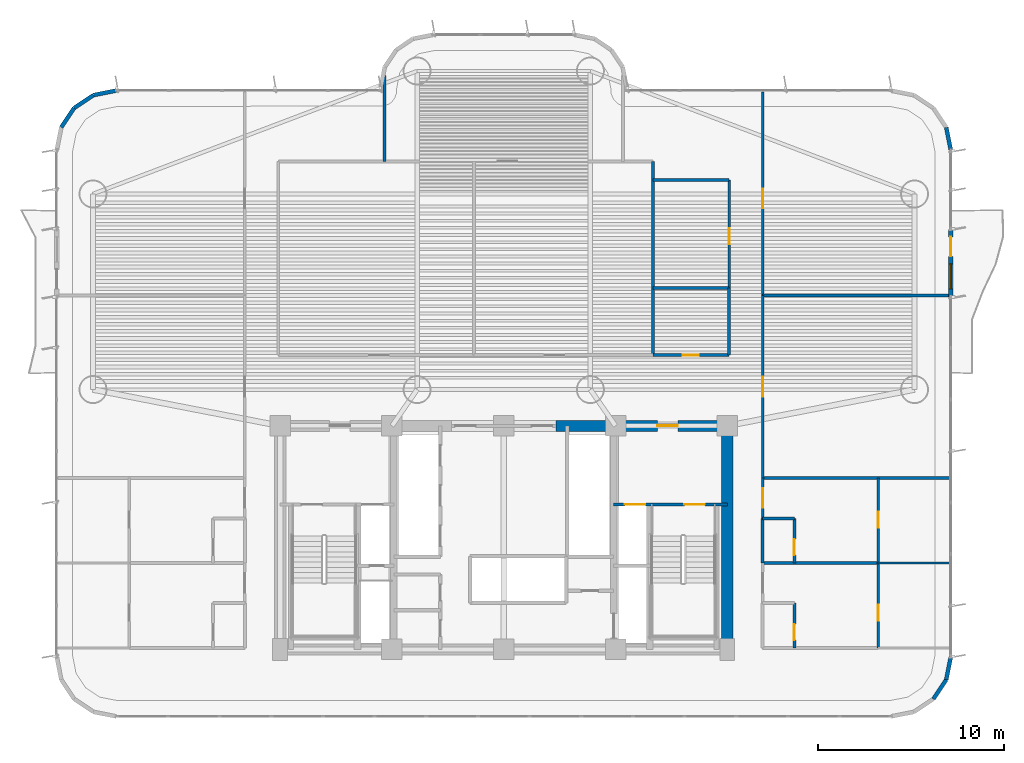
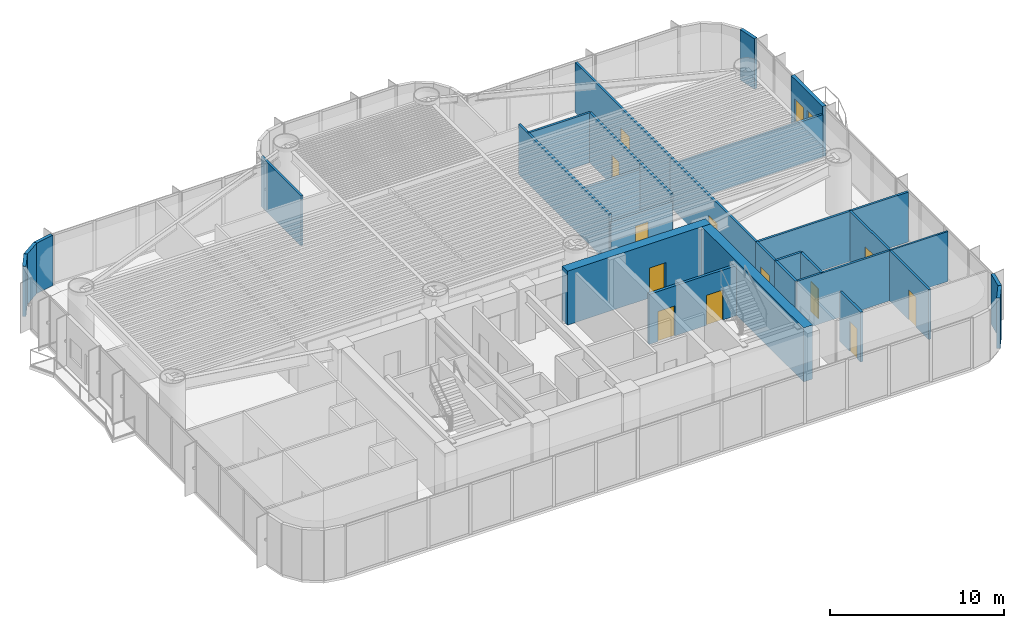
# One storey, part 12 of 17: 30 walls, 13 doors, 1 window, 14 openings.
"""IFC4 building model written with IfcOpenShell, lengths in metres."""

from ifc_helpers import new_model, si_unit, direction, frame, frame_2d, origin, origin_2d, place, context, subcontext, project, spatial, rectangle, extrude, source, transform, mapped, material, layer, layer_set, type_object, element, fill, save


model = new_model("IFC4")

# Units and contexts
model_context = context("Model", 3, precision=1e-05, world=origin(), true_north=direction((0.0, 1.0)))
body_context = subcontext(model_context, "Body", "Model", "MODEL_VIEW")
ifc_project = project(units=[si_unit("LENGTHUNIT", "METRE"), si_unit("AREAUNIT", "SQUARE_METRE"), si_unit("VOLUMEUNIT", "CUBIC_METRE"), si_unit("PLANEANGLEUNIT", "RADIAN"), si_unit("MASSUNIT", "GRAM", prefix="KILO")], contexts=[model_context])

# Site, building, storey
site_placement = place(None, origin())
site = spatial("IfcSite", under=ifc_project, at=site_placement, CompositionType="ELEMENT")
building_placement = place(site_placement, origin())
building = spatial("IfcBuilding", under=site, at=building_placement, Name="Brelvock Crest Care Tower", CompositionType="ELEMENT")
storey_placement = place(building_placement, frame((0.0, 0.0, 45.89990234375)))
storey = spatial("IfcBuildingStorey", under=building, at=storey_placement, Name="L11", CompositionType="ELEMENT", Elevation=45.89990234375)

# Wall
ifc_material_1 = material(Name="Concrete S80 (80 MPa)", Category="concrete")
ifc_layer_1 = layer(ifc_material_1, 0.60009765625, Name="WL-CS1")
ifc_layer_set_1 = layer_set([ifc_layer_1], Name="Concrete S80 (80 MPa)")
wall_type_1 = type_object("IfcWallType", Name="WL-CS1", PredefinedType="SHEAR", material=ifc_layer_set_1)
wall_1_placement = place(storey_placement, frame((48.0, 18.0, 0.0), z_axis=(0.0, 0.0, 1.0), x_axis=(0.0, -1.0, 0.0)))
element("IfcWall", 1, at=wall_1_placement, inside=storey, type_object=wall_type_1, Name="L11 Core East Shear Wall", PredefinedType="SHEAR", context=body_context, shape_type="SweptSolid", body=[
    extrude(rectangle(XDim=12.0, YDim=0.60009765625, at=frame_2d((6.0, 0.0))), origin(), (0.0, 0.0, 1.0), 3.780029296875),
])

# Wall, opening, door
wall_2_placement = place(storey_placement, frame((38.800048828125, 18.0, 0.0), z_axis=(0.0, 0.0, 1.0), x_axis=(1.0, 0.0, 0.0)))
wall_2 = element("IfcWall", 2, at=wall_2_placement, inside=storey, type_object=wall_type_1, Name="L11 Core North-East Shear Wall", PredefinedType="SHEAR", context=body_context, shape_type="SweptSolid", body=[
    extrude(rectangle(XDim=9.5, YDim=0.60009765625, at=frame_2d((4.75, 0.0))), origin(), (0.0, 0.0, 1.0), 3.780029296875),
])
opening_1_placement = place(wall_2_placement, frame((5.449951171875, 0.0, 0.0)))
opening_1 = element("IfcOpeningElement", 3, at=opening_1_placement, cuts=wall_2, Name="Opening FD-1", PredefinedType="OPENING", context=body_context, shape_type="SweptSolid", body=[
    extrude(rectangle(XDim=1.10009765625, YDim=2.10009765625, at=origin_2d()), frame((0.550048828125, 0.31005859375, 1.050048828125), z_axis=(0.0, -1.0, 0.0), x_axis=(1.0, 0.0, 0.0)), (0.0, 0.0, 1.0), 0.6201171875),
])
ifc_material_2 = material(Name="Steel Grade 350", Category="steel")
door_type_1 = type_object("IfcDoorType", Name="DR-FFL1", OperationType="NOTDEFINED", PredefinedType="DOOR", material=ifc_material_2)
shared_shape_1 = source(origin(), body_context, "Body", "SweptSolid", [
    extrude(rectangle(XDim=1.10009765625, YDim=2.10009765625, at=origin_2d()), frame((0.550048828125, 0.02490234375, 1.050048828125), z_axis=(0.0, -1.0, 0.0), x_axis=(1.0, 0.0, 0.0)), (0.0, 0.0, 1.0), 0.050048828125),
])
door_1_placement = place(opening_1_placement, origin())
door_1 = element("IfcDoor", 4, at=door_1_placement, inside=storey, type_object=door_type_1, Name="L11 Firefighting Lobby FFL-2 Exit Door", OperationType="SINGLE_SWING_RIGHT", OverallHeight=2.10009765625, OverallWidth=1.10009765625, PredefinedType="DOOR", context=body_context, shape_type="MappedRepresentation", body=[
    mapped(shared_shape_1, transform((0.0, 0.0, 0.0), x_axis=(1.0, 0.0, 0.0), y_axis=(0.0, 1.0, 0.0), z_axis=(0.0, 0.0, 1.0), scale=1.0)),
])
fill(opening_1, door_1)

# Wall, openings, door, window
ifc_material_3 = material(Name="Precast concrete N40 (40 MPa)", Category="concrete")
ifc_layer_2 = layer(ifc_material_3, 0.239990234375, Name="WL-EX1")
ifc_layer_set_2 = layer_set([ifc_layer_2], Name="Precast concrete N40 (40 MPa)")
wall_type_2 = type_object("IfcWallType", Name="WL-EX1", PredefinedType="SOLIDWALL", material=ifc_layer_set_2)
wall_3_placement = place(storey_placement, frame((60.0, 28.550048828125, 0.0), z_axis=(0.0, 0.0, 1.0), x_axis=(0.0, -1.0, 0.0)))
wall_3 = element("IfcWall", 5, at=wall_3_placement, inside=storey, type_object=wall_type_2, Name="L11 Exterior Spandrel Wall WL-BAL-L11-E", PredefinedType="SOLIDWALL", context=body_context, shape_type="SweptSolid", body=[
    extrude(rectangle(XDim=3.60009765625, YDim=0.239990234375, at=frame_2d((1.800048828125, 0.0))), origin(), (0.0, 0.0, 1.0), 3.530029296875),
])
opening_2_placement = place(wall_3_placement, frame((0.39990234375, 0.0, 0.0)))
opening_2 = element("IfcOpeningElement", 6, at=opening_2_placement, cuts=wall_3, Name="Opening BD-1", PredefinedType="OPENING", context=body_context, shape_type="SweptSolid", body=[
    extrude(rectangle(XDim=1.050048828125, YDim=2.14990234375, at=origin_2d()), frame((0.52490234375, 0.1298828125, 1.074951171875), z_axis=(0.0, -1.0, 0.0), x_axis=(1.0, 0.0, 0.0)), (0.0, 0.0, 1.0), 0.260009765625),
])
opening_3_placement = place(wall_3_placement, frame((1.85009765625, 0.0, 0.85009765625)))
opening_3 = element("IfcOpeningElement", 7, at=opening_3_placement, cuts=wall_3, Name="Opening W-01", PredefinedType="OPENING", context=body_context, shape_type="SweptSolid", body=[
    extrude(rectangle(XDim=1.35009765625, YDim=1.35009765625, at=origin_2d()), frame((0.675048828125, 0.1298828125, 0.675048828125), z_axis=(0.0, -1.0, 0.0), x_axis=(1.0, 0.0, 0.0)), (0.0, 0.0, 1.0), 0.260009765625),
])
ifc_material_4 = material(Name="Dark Glass Double Glazed Low-E", Category="glass")
door_type_2 = type_object("IfcDoorType", Name="DR-BAL1", OperationType="NOTDEFINED", PredefinedType="DOOR", material=ifc_material_4)
shared_shape_2 = source(origin(), body_context, "Body", "SweptSolid", [
    extrude(rectangle(XDim=1.050048828125, YDim=2.14990234375, at=origin_2d()), frame((0.52490234375, 0.02490234375, 1.074951171875), z_axis=(0.0, -1.0, 0.0), x_axis=(1.0, 0.0, 0.0)), (0.0, 0.0, 1.0), 0.050048828125),
])
door_2_placement = place(opening_2_placement, origin())
door_2 = element("IfcDoor", 8, at=door_2_placement, inside=storey, type_object=door_type_2, Name="L11 E Wave Balcony Glazed Door", OperationType="SINGLE_SWING_RIGHT", OverallHeight=2.14990234375, OverallWidth=1.050048828125, PredefinedType="DOOR", context=body_context, shape_type="MappedRepresentation", body=[
    mapped(shared_shape_2, transform((0.0, 0.0, 0.0), x_axis=(1.0, 0.0, 0.0), y_axis=(0.0, 1.0, 0.0), z_axis=(0.0, 0.0, 1.0), scale=1.0)),
])
fill(opening_2, door_2)
window_type = type_object("IfcWindowType", Name="WN-EX1", PartitioningType="SINGLE_PANEL", PredefinedType="WINDOW", material=ifc_material_4)
shared_shape_3 = source(origin(), body_context, "Body", "SweptSolid", [
    extrude(rectangle(XDim=1.35009765625, YDim=1.35009765625, at=origin_2d()), frame((0.675048828125, 0.030029296875, 0.675048828125), z_axis=(0.0, -1.0, 0.0), x_axis=(1.0, 0.0, 0.0)), (0.0, 0.0, 1.0), 0.06005859375),
])
window_placement = place(opening_3_placement, origin())
window = element("IfcWindow", 9, at=window_placement, inside=storey, type_object=window_type, Name="L11 E Suite Casement Window", OverallHeight=1.35009765625, OverallWidth=1.35009765625, PartitioningType="SINGLE_PANEL", PredefinedType="WINDOW", context=body_context, shape_type="MappedRepresentation", body=[
    mapped(shared_shape_3, transform((0.0, 0.0, 0.0), x_axis=(1.0, 0.0, 0.0), y_axis=(0.0, 1.0, 0.0), z_axis=(0.0, 0.0, 1.0), scale=1.0)),
])
fill(opening_3, window)

# Walls
ifc_layer_3 = layer(ifc_material_3, 0.215087890625, Name="WL-EX2")
ifc_layer_set_3 = layer_set([ifc_layer_3], Name="Precast concrete N40 (40 MPa)")
wall_type_3 = type_object("IfcWallType", Name="WL-EX2", PredefinedType="SOLIDWALL", material=ifc_layer_set_3)
for number, where, z_axis, x_axis, name in (
    (10, (59.75634765625, 34.024658203125, 0.0), (0.0, 0.0, 1.0), (0.195138390419, -0.980775717779, 0.0), "L11 Rounded Corner Wall 02"),
    (11, (60.0, 5.60009765625, 0.0), (0.0, 0.0, 1.0), (-0.195138390419, -0.980775717779, 0.0), "L11 Rounded Corner Wall 04"),
    (12, (59.75634765625, 4.37548828125, 0.0), (0.0, 0.0, 1.0), (-0.555557312883, -0.831478245117, 0.0), "L11 Rounded Corner Wall 05"),
    (13, (12.24365234375, 34.024658203125, 0.0), (0.0, 0.0, 1.0), (0.555557312883, 0.831478245117, 0.0), "L11 Rounded Corner Wall 15"),
    (14, (12.937255859375, 35.062744140625, 0.0), (0.0, 0.0, 1.0), (0.831478245117, 0.555557312883, 0.0), "L11 Rounded Corner Wall 16"),
    (15, (13.975341796875, 35.75634765625, 0.0), (0.0, 0.0, 1.0), (0.980775717779, 0.195138390419, 0.0), "L11 Rounded Corner Wall 17"),
):
    element("IfcWall", number, at=place(storey_placement, frame(where, z_axis=z_axis, x_axis=x_axis)), inside=storey, type_object=wall_type_3, Name=name, PredefinedType="SOLIDWALL", context=body_context, shape_type="SweptSolid", body=[
        extrude(rectangle(XDim=1.24853515625, YDim=0.215087890625, at=frame_2d((0.624267578125, 0.0))), origin(), (0.0, 0.0, 1.0), 3.530029296875),
    ])
ifc_material_5 = material(Name="Masonry Blockwork Acoustic Partition", Category="masonry")
ifc_layer_4 = layer(ifc_material_5, 0.14990234375, Name="WL-INT1")
ifc_layer_set_4 = layer_set([ifc_layer_4], Name="Masonry Blockwork Acoustic Partition")
wall_type_4 = type_object("IfcWallType", Name="WL-INT1", PredefinedType="PARTITIONING", material=ifc_layer_set_4)
wall_4_placement = place(storey_placement, frame((49.89990234375, 10.639892578125, 0.0), z_axis=(0.0, 0.0, 1.0), x_axis=(1.0, 0.0, 0.0)))
element("IfcWall", 16, at=wall_4_placement, inside=storey, type_object=wall_type_4, Name="L11 Interior Wall WL-BX-L11-CS-ER1A-N", PredefinedType="PARTITIONING", context=body_context, shape_type="SweptSolid", body=[
    extrude(rectangle(XDim=6.2001953125, YDim=0.14990234375, at=frame_2d((3.10009765625, 0.0))), origin(), (0.0, 0.0, 1.0), 3.5),
])
wall_5_placement = place(storey_placement, frame((49.89990234375, 15.199951171875, 0.0), z_axis=(0.0, 0.0, 1.0), x_axis=(1.0, 0.0, 0.0)))
element("IfcWall", 17, at=wall_5_placement, inside=storey, type_object=wall_type_4, Name="L11 Interior Wall WL-BX-L11-ECL2-S", PredefinedType="PARTITIONING", context=body_context, shape_type="SweptSolid", body=[
    extrude(rectangle(XDim=10.02001953125, YDim=0.14990234375, at=frame_2d((5.010009765625, 0.0))), origin(), (0.0, 0.0, 1.0), 3.5),
])
wall_6_placement = place(storey_placement, frame((49.89990234375, 25.0, 0.0), z_axis=(0.0, 0.0, 1.0), x_axis=(1.0, 0.0, 0.0)))
element("IfcWall", 18, at=wall_6_placement, inside=storey, type_object=wall_type_4, Name="L11 Interior Wall WL-BX-L11-ECL2-N", PredefinedType="PARTITIONING", context=body_context, shape_type="SweptSolid", body=[
    extrude(rectangle(XDim=10.02001953125, YDim=0.14990234375, at=frame_2d((5.010009765625, 0.0))), origin(), (0.0, 0.0, 1.0), 2.982177734375),
])
wall_7_placement = place(storey_placement, frame((44.0, 31.199951171875, 0.0), z_axis=(0.0, 0.0, 1.0), x_axis=(1.0, 0.0, 0.0)))
element("IfcWall", 19, at=wall_7_placement, inside=storey, type_object=wall_type_4, Name="L11 Interior Wall WL-BX-L11-CKIT-N", PredefinedType="PARTITIONING", context=body_context, shape_type="SweptSolid", body=[
    extrude(rectangle(XDim=4.10009765625, YDim=0.14990234375, at=frame_2d((2.050048828125, 0.0))), origin(), (0.0, 0.0, 1.0), 3.5),
])
wall_8_placement = place(storey_placement, frame((29.60009765625, 32.199951171875, 0.0), z_axis=(0.0, 0.0, 1.0), x_axis=(0.0, 1.0, 0.0)))
element("IfcWall", 20, at=wall_8_placement, inside=storey, type_object=wall_type_4, Name="L11 Interior Wall WL-BX-L11-NHUB-W", PredefinedType="PARTITIONING", context=body_context, shape_type="SweptSolid", body=[
    extrude(rectangle(XDim=4.595458984375, YDim=0.14990234375, at=frame_2d((2.2978515625, 0.0))), origin(), (0.0, 0.0, 1.0), 3.5),
])

# Wall, opening, door
wall_9_placement = place(storey_placement, frame((48.10009765625, 25.39990234375, 0.0), z_axis=(0.0, 0.0, 1.0), x_axis=(0.0, 1.0, 0.0)))
wall_9 = element("IfcWall", 21, at=wall_9_placement, inside=storey, type_object=wall_type_4, Name="L11 Interior Wall WL-RM-L11-CKIT", PredefinedType="PARTITIONING", context=body_context, shape_type="SweptSolid", body=[
    extrude(rectangle(XDim=5.800048828125, YDim=0.14990234375, at=frame_2d((2.89990234375, 0.0))), origin(), (0.0, 0.0, 1.0), 3.5),
])
opening_4_placement = place(wall_9_placement, frame((2.340087890625, 0.0, 0.0)))
opening_4 = element("IfcOpeningElement", 22, at=opening_4_placement, cuts=wall_9, Name="Opening ID-1", PredefinedType="OPENING", context=body_context, shape_type="SweptSolid", body=[
    extrude(rectangle(XDim=0.860107421875, YDim=2.10009765625, at=origin_2d()), frame((0.43017578125, 0.0849609375, 1.050048828125), z_axis=(0.0, -1.0, 0.0), x_axis=(1.0, 0.0, 0.0)), (0.0, 0.0, 1.0), 0.169921875),
])
ifc_material_6 = material(Name="Engineered Hardwood Timber", Category="wood")
door_type_3 = type_object("IfcDoorType", Name="DR-INT1", OperationType="NOTDEFINED", PredefinedType="DOOR", material=ifc_material_6)
shared_shape_4 = source(origin(), body_context, "Body", "SweptSolid", [
    extrude(rectangle(XDim=0.860107421875, YDim=2.10009765625, at=origin_2d()), frame((0.43017578125, 0.02490234375, 1.050048828125), z_axis=(0.0, -1.0, 0.0), x_axis=(1.0, 0.0, 0.0)), (0.0, 0.0, 1.0), 0.050048828125),
])
door_3_placement = place(opening_4_placement, origin())
door_3 = element("IfcDoor", 23, at=door_3_placement, inside=storey, type_object=door_type_3, Name="L11 Neighbourhood Pantry Kitchen Door CKIT", OperationType="SINGLE_SWING_LEFT", OverallHeight=2.10009765625, OverallWidth=0.860107421875, PredefinedType="DOOR", context=body_context, shape_type="MappedRepresentation", body=[
    mapped(shared_shape_4, transform((0.0, 0.0, 0.0), x_axis=(1.0, 0.0, 0.0), y_axis=(0.0, 1.0, 0.0), z_axis=(0.0, 0.0, 1.0), scale=1.0)),
])
fill(opening_4, door_3)

wall_10_placement = place(storey_placement, frame((49.89990234375, 13.0400390625, 0.0), z_axis=(0.0, 0.0, 1.0), x_axis=(0.0, 1.0, 0.0)))
wall_10 = element("IfcWall", 24, at=wall_10_placement, inside=storey, type_object=wall_type_4, Name="L11 Interior Wall WL-CENT-L11-ER1B", PredefinedType="PARTITIONING", context=body_context, shape_type="SweptSolid", body=[
    extrude(rectangle(XDim=2.159912109375, YDim=0.14990234375, at=frame_2d((1.080078125, 0.0))), origin(), (0.0, 0.0, 1.0), 3.5),
])
opening_5_placement = place(wall_10_placement, frame((0.56005859375, 0.0, 0.0)))
opening_5 = element("IfcOpeningElement", 25, at=opening_5_placement, cuts=wall_10, Name="Opening CD-1", PredefinedType="OPENING", context=body_context, shape_type="SweptSolid", body=[
    extrude(rectangle(XDim=1.050048828125, YDim=2.10009765625, at=origin_2d()), frame((0.52490234375, 0.0849609375, 1.050048828125), z_axis=(0.0, -1.0, 0.0), x_axis=(1.0, 0.0, 0.0)), (0.0, 0.0, 1.0), 0.169921875),
])
door_type_4 = type_object("IfcDoorType", Name="DR-CARE1", OperationType="NOTDEFINED", PredefinedType="DOOR", material=ifc_material_6)
shared_shape_5 = source(origin(), body_context, "Body", "SweptSolid", [
    extrude(rectangle(XDim=1.050048828125, YDim=2.10009765625, at=origin_2d()), frame((0.52490234375, 0.02490234375, 1.050048828125), z_axis=(0.0, -1.0, 0.0), x_axis=(1.0, 0.0, 0.0)), (0.0, 0.0, 1.0), 0.050048828125),
])
door_4_placement = place(opening_5_placement, origin())
door_4 = element("IfcDoor", 26, at=door_4_placement, inside=storey, type_object=door_type_4, Name="L11 Care Suite Door ER1B", OperationType="SINGLE_SWING_LEFT", OverallHeight=2.10009765625, OverallWidth=1.050048828125, PredefinedType="DOOR", context=body_context, shape_type="MappedRepresentation", body=[
    mapped(shared_shape_5, transform((0.0, 0.0, 0.0), x_axis=(1.0, 0.0, 0.0), y_axis=(0.0, 1.0, 0.0), z_axis=(0.0, 0.0, 1.0), scale=1.0)),
])
fill(opening_5, door_4)

wall_11_placement = place(storey_placement, frame((49.89990234375, 15.199951171875, 0.0), z_axis=(0.0, 0.0, 1.0), x_axis=(0.0, 1.0, 0.0)))
wall_11 = element("IfcWall", 27, at=wall_11_placement, inside=storey, type_object=wall_type_4, Name="L11 Interior Wall WL-RM-L11-ECL2", PredefinedType="PARTITIONING", context=body_context, shape_type="SweptSolid", body=[
    extrude(rectangle(XDim=9.800048828125, YDim=0.14990234375, at=frame_2d((4.89990234375, 0.0))), origin(), (0.0, 0.0, 1.0), 3.5),
])
opening_6_placement = place(wall_11_placement, frame((4.375, 0.0, 0.0)))
opening_6 = element("IfcOpeningElement", 28, at=opening_6_placement, cuts=wall_11, Name="Opening CLD-1", PredefinedType="OPENING", context=body_context, shape_type="SweptSolid", body=[
    extrude(rectangle(XDim=1.050048828125, YDim=2.10009765625, at=origin_2d()), frame((0.52490234375, 0.0849609375, 1.050048828125), z_axis=(0.0, -1.0, 0.0), x_axis=(1.0, 0.0, 0.0)), (0.0, 0.0, 1.0), 0.169921875),
])
door_type_5 = type_object("IfcDoorType", Name="DR-CLN1", OperationType="NOTDEFINED", PredefinedType="DOOR", material=ifc_material_6)
shared_shape_6 = source(origin(), body_context, "Body", "SweptSolid", [
    extrude(rectangle(XDim=1.050048828125, YDim=2.10009765625, at=origin_2d()), frame((0.52490234375, 0.02490234375, 1.050048828125), z_axis=(0.0, -1.0, 0.0), x_axis=(1.0, 0.0, 0.0)), (0.0, 0.0, 1.0), 0.050048828125),
])
door_5_placement = place(opening_6_placement, origin())
door_5 = element("IfcDoor", 29, at=door_5_placement, inside=storey, type_object=door_type_5, Name="L11 Occupational Therapy Clinic Door ECL2", OperationType="SINGLE_SWING_LEFT", OverallHeight=2.10009765625, OverallWidth=1.050048828125, PredefinedType="DOOR", context=body_context, shape_type="MappedRepresentation", body=[
    mapped(shared_shape_6, transform((0.0, 0.0, 0.0), x_axis=(1.0, 0.0, 0.0), y_axis=(0.0, 1.0, 0.0), z_axis=(0.0, 0.0, 1.0), scale=1.0)),
])
fill(opening_6, door_5)

wall_12_placement = place(storey_placement, frame((49.89990234375, 25.0, 0.0), z_axis=(0.0, 0.0, 1.0), x_axis=(0.0, 1.0, 0.0)))
wall_12 = element("IfcWall", 30, at=wall_12_placement, inside=storey, type_object=wall_type_4, Name="L11 Interior Wall WL-RM-L11-ECL3", PredefinedType="PARTITIONING", context=body_context, shape_type="SweptSolid", body=[
    extrude(rectangle(XDim=10.920166015625, YDim=0.14990234375, at=frame_2d((5.4599609375, 0.0))), origin(), (0.0, 0.0, 1.0), 3.5),
])
opening_7_placement = place(wall_12_placement, frame((4.675048828125, 0.0, 0.0)))
opening_7 = element("IfcOpeningElement", 31, at=opening_7_placement, cuts=wall_12, Name="Opening CLD-1", PredefinedType="OPENING", context=body_context, shape_type="SweptSolid", body=[
    extrude(rectangle(XDim=1.050048828125, YDim=2.10009765625, at=origin_2d()), frame((0.52490234375, 0.0849609375, 1.050048828125), z_axis=(0.0, -1.0, 0.0), x_axis=(1.0, 0.0, 0.0)), (0.0, 0.0, 1.0), 0.169921875),
])
door_6_placement = place(opening_7_placement, origin())
door_6 = element("IfcDoor", 32, at=door_6_placement, inside=storey, type_object=door_type_5, Name="L11 Occupational Therapy Clinic Door ECL3", OperationType="SINGLE_SWING_LEFT", OverallHeight=2.10009765625, OverallWidth=1.050048828125, PredefinedType="DOOR", context=body_context, shape_type="MappedRepresentation", body=[
    mapped(shared_shape_6, transform((0.0, 0.0, 0.0), x_axis=(1.0, 0.0, 0.0), y_axis=(0.0, 1.0, 0.0), z_axis=(0.0, 0.0, 1.0), scale=1.0)),
])
fill(opening_7, door_6)

wall_13_placement = place(storey_placement, frame((56.10009765625, 6.080078125, 0.0), z_axis=(0.0, 0.0, 1.0), x_axis=(0.0, 1.0, 0.0)))
wall_13 = element("IfcWall", 33, at=wall_13_placement, inside=storey, type_object=wall_type_4, Name="L11 Interior Wall WL-RM-L11-ER1AS", PredefinedType="PARTITIONING", context=body_context, shape_type="SweptSolid", body=[
    extrude(rectangle(XDim=4.559814453125, YDim=0.14990234375, at=frame_2d((2.27978515625, 0.0))), origin(), (0.0, 0.0, 1.0), 3.5),
])
opening_8_placement = place(wall_13_placement, frame((1.4599609375, 0.0, 0.0)))
opening_8 = element("IfcOpeningElement", 34, at=opening_8_placement, cuts=wall_13, Name="Opening ID-1", PredefinedType="OPENING", context=body_context, shape_type="SweptSolid", body=[
    extrude(rectangle(XDim=0.860107421875, YDim=2.10009765625, at=origin_2d()), frame((0.43017578125, 0.0849609375, 1.050048828125), z_axis=(0.0, -1.0, 0.0), x_axis=(1.0, 0.0, 0.0)), (0.0, 0.0, 1.0), 0.169921875),
])
door_7_placement = place(opening_8_placement, origin())
door_7 = element("IfcDoor", 35, at=door_7_placement, inside=storey, type_object=door_type_3, Name="L11 Rehab Recovery Mobility Store Door ER1AS", OperationType="SINGLE_SWING_LEFT", OverallHeight=2.10009765625, OverallWidth=0.860107421875, PredefinedType="DOOR", context=body_context, shape_type="MappedRepresentation", body=[
    mapped(shared_shape_4, transform((0.0, 0.0, 0.0), x_axis=(1.0, 0.0, 0.0), y_axis=(0.0, 1.0, 0.0), z_axis=(0.0, 0.0, 1.0), scale=1.0)),
])
fill(opening_8, door_7)

wall_14_placement = place(storey_placement, frame((56.10009765625, 10.639892578125, 0.0), z_axis=(0.0, 0.0, 1.0), x_axis=(0.0, 1.0, 0.0)))
wall_14 = element("IfcWall", 36, at=wall_14_placement, inside=storey, type_object=wall_type_4, Name="L11 Interior Wall WL-RM-L11-ER1BS", PredefinedType="PARTITIONING", context=body_context, shape_type="SweptSolid", body=[
    extrude(rectangle(XDim=4.56005859375, YDim=0.14990234375, at=frame_2d((2.280029296875, 0.0))), origin(), (0.0, 0.0, 1.0), 3.5),
])
opening_9_placement = place(wall_14_placement, frame((1.89990234375, 0.0, 0.0)))
opening_9 = element("IfcOpeningElement", 37, at=opening_9_placement, cuts=wall_14, Name="Opening ID-1", PredefinedType="OPENING", context=body_context, shape_type="SweptSolid", body=[
    extrude(rectangle(XDim=0.860107421875, YDim=2.10009765625, at=origin_2d()), frame((0.43017578125, 0.0849609375, 1.050048828125), z_axis=(0.0, -1.0, 0.0), x_axis=(1.0, 0.0, 0.0)), (0.0, 0.0, 1.0), 0.169921875),
])
door_8_placement = place(opening_9_placement, origin())
door_8 = element("IfcDoor", 38, at=door_8_placement, inside=storey, type_object=door_type_3, Name="L11 Rehab Recovery Mobility Store Door ER1BS", OperationType="SINGLE_SWING_LEFT", OverallHeight=2.10009765625, OverallWidth=0.860107421875, PredefinedType="DOOR", context=body_context, shape_type="MappedRepresentation", body=[
    mapped(shared_shape_4, transform((0.0, 0.0, 0.0), x_axis=(1.0, 0.0, 0.0), y_axis=(0.0, 1.0, 0.0), z_axis=(0.0, 0.0, 1.0), scale=1.0)),
])
fill(opening_9, door_8)

# Walls
ifc_material_7 = material(Name="Gypsum Plasterboard Partition", Category="gypsum")
ifc_layer_5 = layer(ifc_material_7, 0.1201171875, Name="WL-INT2")
ifc_layer_set_5 = layer_set([ifc_layer_5], Name="Gypsum Plasterboard Partition")
wall_type_5 = type_object("IfcWallType", Name="WL-INT2", PredefinedType="PARTITIONING", material=ifc_layer_set_5)
wall_15_placement = place(storey_placement, frame((56.10009765625, 10.639892578125, 0.0), z_axis=(0.0, 0.0, 1.0), x_axis=(1.0, 0.0, 0.0)))
element("IfcWall", 39, at=wall_15_placement, inside=storey, type_object=wall_type_5, Name="L11 Interior Wall WL-BX-L11-ER1AS-N", PredefinedType="PARTITIONING", context=body_context, shape_type="SweptSolid", body=[
    extrude(rectangle(XDim=3.81982421875, YDim=0.1201171875, at=frame_2d((1.909912109375, 0.0))), origin(), (0.0, 0.0, 1.0), 3.5),
])
ifc_layer_6 = layer(ifc_material_7, 0.159912109375, Name="WL-PLM1")
ifc_layer_set_6 = layer_set([ifc_layer_6], Name="Gypsum Plasterboard Partition")
wall_type_6 = type_object("IfcWallType", Name="WL-PLM1", PredefinedType="PLUMBINGWALL", material=ifc_layer_set_6)
wall_16_placement = place(storey_placement, frame((49.89990234375, 13.0400390625, 0.0), z_axis=(0.0, 0.0, 1.0), x_axis=(1.0, 0.0, 0.0)))
element("IfcWall", 40, at=wall_16_placement, inside=storey, type_object=wall_type_6, Name="L11 Interior Wall WL-CENS2-L11-ER1B", PredefinedType="PLUMBINGWALL", context=body_context, shape_type="SweptSolid", body=[
    extrude(rectangle(XDim=1.7001953125, YDim=0.159912109375, at=frame_2d((0.85009765625, 0.0))), origin(), (0.0, 0.0, 1.0), 3.5),
])

# Wall, opening, door
wall_17_placement = place(storey_placement, frame((44.0, 21.800048828125, 0.0), z_axis=(0.0, 0.0, 1.0), x_axis=(1.0, 0.0, 0.0)))
wall_17 = element("IfcWall", 41, at=wall_17_placement, inside=storey, type_object=wall_type_6, Name="L11 Interior Wall WL-RM-L11-CAWC", PredefinedType="PLUMBINGWALL", context=body_context, shape_type="SweptSolid", body=[
    extrude(rectangle(XDim=4.10009765625, YDim=0.159912109375, at=frame_2d((2.050048828125, 0.0))), origin(), (0.0, 0.0, 1.0), 2.982177734375),
])
opening_10_placement = place(wall_17_placement, frame((1.6201171875, 0.0, 0.0)))
opening_10 = element("IfcOpeningElement", 42, at=opening_10_placement, cuts=wall_17, Name="Opening WD-1", PredefinedType="OPENING", context=body_context, shape_type="SweptSolid", body=[
    extrude(rectangle(XDim=0.860107421875, YDim=2.10009765625, at=origin_2d()), frame((0.43017578125, 0.08984375, 1.050048828125), z_axis=(0.0, -1.0, 0.0), x_axis=(1.0, 0.0, 0.0)), (0.0, 0.0, 1.0), 0.179931640625),
])
door_type_6 = type_object("IfcDoorType", Name="DR-WC1", OperationType="NOTDEFINED", PredefinedType="DOOR", material=ifc_material_6)
shared_shape_7 = source(origin(), body_context, "Body", "SweptSolid", [
    extrude(rectangle(XDim=0.860107421875, YDim=2.10009765625, at=origin_2d()), frame((0.43017578125, 0.02490234375, 1.050048828125), z_axis=(0.0, -1.0, 0.0), x_axis=(1.0, 0.0, 0.0)), (0.0, 0.0, 1.0), 0.050048828125),
])
door_9_placement = place(opening_10_placement, origin())
door_9 = element("IfcDoor", 43, at=door_9_placement, inside=storey, type_object=door_type_6, Name="L11 Floor Accessible WC Door CAWC", OperationType="SINGLE_SWING_LEFT", OverallHeight=2.10009765625, OverallWidth=0.860107421875, PredefinedType="DOOR", context=body_context, shape_type="MappedRepresentation", body=[
    mapped(shared_shape_7, transform((0.0, 0.0, 0.0), x_axis=(1.0, 0.0, 0.0), y_axis=(0.0, 1.0, 0.0), z_axis=(0.0, 0.0, 1.0), scale=1.0)),
])
fill(opening_10, door_9)

# Walls
wall_18_placement = place(storey_placement, frame((44.0, 25.39990234375, 0.0), z_axis=(0.0, 0.0, 1.0), x_axis=(1.0, 0.0, 0.0)))
element("IfcWall", 44, at=wall_18_placement, inside=storey, type_object=wall_type_6, Name="L11 Interior Wall WL-BX-L11-CAWC-N", PredefinedType="PLUMBINGWALL", context=body_context, shape_type="SweptSolid", body=[
    extrude(rectangle(XDim=4.10009765625, YDim=0.159912109375, at=frame_2d((2.050048828125, 0.0))), origin(), (0.0, 0.0, 1.0), 3.05517578125),
])
wall_19_placement = place(storey_placement, frame((44.0, 21.800048828125, 0.0), z_axis=(0.0, 0.0, 1.0), x_axis=(0.0, 1.0, 0.0)))
element("IfcWall", 45, at=wall_19_placement, inside=storey, type_object=wall_type_6, Name="L11 Interior Wall WL-BX-L11-CNE-E", PredefinedType="PLUMBINGWALL", context=body_context, shape_type="SweptSolid", body=[
    extrude(rectangle(XDim=10.39990234375, YDim=0.159912109375, at=frame_2d((5.199951171875, 0.0))), origin(), (0.0, 0.0, 1.0), 3.5),
])
wall_20_placement = place(storey_placement, frame((48.10009765625, 21.800048828125, 0.0), z_axis=(0.0, 0.0, 1.0), x_axis=(0.0, 1.0, 0.0)))
element("IfcWall", 46, at=wall_20_placement, inside=storey, type_object=wall_type_6, Name="L11 Interior Wall WL-BX-L11-CAWC-E", PredefinedType="PLUMBINGWALL", context=body_context, shape_type="SweptSolid", body=[
    extrude(rectangle(XDim=3.599853515625, YDim=0.159912109375, at=frame_2d((1.7998046875, 0.0))), origin(), (0.0, 0.0, 1.0), 3.5),
])
wall_21_placement = place(storey_placement, frame((49.89990234375, 10.639892578125, 0.0), z_axis=(0.0, 0.0, 1.0), x_axis=(0.0, 1.0, 0.0)))
element("IfcWall", 47, at=wall_21_placement, inside=storey, type_object=wall_type_6, Name="L11 Interior Wall WL-CENS0-L11-ER1B", PredefinedType="PLUMBINGWALL", context=body_context, shape_type="SweptSolid", body=[
    extrude(rectangle(XDim=2.400146484375, YDim=0.159912109375, at=frame_2d((1.2001953125, 0.0))), origin(), (0.0, 0.0, 1.0), 3.5),
])

# Wall, opening, door
wall_22_placement = place(storey_placement, frame((51.60009765625, 6.080078125, 0.0), z_axis=(0.0, 0.0, 1.0), x_axis=(0.0, 1.0, 0.0)))
wall_22 = element("IfcWall", 48, at=wall_22_placement, inside=storey, type_object=wall_type_6, Name="L11 Interior Wall WL-CENS1-L11-ER1A", PredefinedType="PLUMBINGWALL", context=body_context, shape_type="SweptSolid", body=[
    extrude(rectangle(XDim=2.39990234375, YDim=0.159912109375, at=frame_2d((1.199951171875, 0.0))), origin(), (0.0, 0.0, 1.0), 3.5),
])
opening_11_placement = place(wall_22_placement, frame((0.419921875, 0.0, 0.0)))
opening_11 = element("IfcOpeningElement", 49, at=opening_11_placement, cuts=wall_22, Name="Opening WD-1", PredefinedType="OPENING", context=body_context, shape_type="SweptSolid", body=[
    extrude(rectangle(XDim=0.860107421875, YDim=2.10009765625, at=origin_2d()), frame((0.43017578125, 0.08984375, 1.050048828125), z_axis=(0.0, -1.0, 0.0), x_axis=(1.0, 0.0, 0.0)), (0.0, 0.0, 1.0), 0.179931640625),
])
door_10_placement = place(opening_11_placement, origin())
door_10 = element("IfcDoor", 50, at=door_10_placement, inside=storey, type_object=door_type_6, Name="L11 Care En-Suite Door ER1A", OperationType="SINGLE_SWING_RIGHT", OverallHeight=2.10009765625, OverallWidth=0.860107421875, PredefinedType="DOOR", context=body_context, shape_type="MappedRepresentation", body=[
    mapped(shared_shape_7, transform((0.0, 0.0, 0.0), x_axis=(1.0, 0.0, 0.0), y_axis=(0.0, 1.0, 0.0), z_axis=(0.0, 0.0, 1.0), scale=1.0)),
])
fill(opening_11, door_10)

wall_23_placement = place(storey_placement, frame((51.60009765625, 10.639892578125, 0.0), z_axis=(0.0, 0.0, 1.0), x_axis=(0.0, 1.0, 0.0)))
wall_23 = element("IfcWall", 51, at=wall_23_placement, inside=storey, type_object=wall_type_6, Name="L11 Interior Wall WL-CENS1-L11-ER1B", PredefinedType="PLUMBINGWALL", context=body_context, shape_type="SweptSolid", body=[
    extrude(rectangle(XDim=2.400146484375, YDim=0.159912109375, at=frame_2d((1.2001953125, 0.0))), origin(), (0.0, 0.0, 1.0), 3.5),
])
opening_12_placement = place(wall_23_placement, frame((0.419921875, 0.0, 0.0)))
opening_12 = element("IfcOpeningElement", 52, at=opening_12_placement, cuts=wall_23, Name="Opening WD-1", PredefinedType="OPENING", context=body_context, shape_type="SweptSolid", body=[
    extrude(rectangle(XDim=0.860107421875, YDim=2.10009765625, at=origin_2d()), frame((0.43017578125, 0.08984375, 1.050048828125), z_axis=(0.0, -1.0, 0.0), x_axis=(1.0, 0.0, 0.0)), (0.0, 0.0, 1.0), 0.179931640625),
])
door_11_placement = place(opening_12_placement, origin())
door_11 = element("IfcDoor", 53, at=door_11_placement, inside=storey, type_object=door_type_6, Name="L11 Care En-Suite Door ER1B", OperationType="SINGLE_SWING_RIGHT", OverallHeight=2.10009765625, OverallWidth=0.860107421875, PredefinedType="DOOR", context=body_context, shape_type="MappedRepresentation", body=[
    mapped(shared_shape_7, transform((0.0, 0.0, 0.0), x_axis=(1.0, 0.0, 0.0), y_axis=(0.0, 1.0, 0.0), z_axis=(0.0, 0.0, 1.0), scale=1.0)),
])
fill(opening_12, door_11)

# Wall, openings, doors
ifc_layer_7 = layer(ifc_material_5, 0.179931640625, Name="WL-SHF1")
ifc_layer_set_7 = layer_set([ifc_layer_7], Name="Masonry Blockwork Acoustic Partition")
wall_type_7 = type_object("IfcWallType", Name="WL-SHF1", PredefinedType="PARTITIONING", material=ifc_layer_set_7)
wall_24_placement = place(storey_placement, frame((41.89990234375, 13.780029296875, 0.0), z_axis=(0.0, 0.0, 1.0), x_axis=(1.0, 0.0, 0.0)))
wall_24 = element("IfcWall", 54, at=wall_24_placement, inside=storey, type_object=wall_type_7, Name="L11 Interior Wall WL-ST2-N-L11", PredefinedType="PARTITIONING", context=body_context, shape_type="SweptSolid", body=[
    extrude(rectangle(XDim=6.10009765625, YDim=0.179931640625, at=frame_2d((3.050048828125, 0.0))), origin(), (0.0, 0.0, 1.0), 3.5),
])
opening_13_placement = place(wall_24_placement, frame((0.60009765625, 0.0, 0.0)))
opening_13 = element("IfcOpeningElement", 55, at=opening_13_placement, cuts=wall_24, Name="Opening LD", PredefinedType="OPENING", context=body_context, shape_type="SweptSolid", body=[
    extrude(rectangle(XDim=1.10009765625, YDim=2.10009765625, at=origin_2d()), frame((0.550048828125, 0.10009765625, 1.050048828125), z_axis=(0.0, -1.0, 0.0), x_axis=(1.0, 0.0, 0.0)), (0.0, 0.0, 1.0), 0.199951171875),
])
opening_14_placement = place(wall_24_placement, frame((3.800048828125, 0.0, 0.0)))
opening_14 = element("IfcOpeningElement", 56, at=opening_14_placement, cuts=wall_24, Name="Opening SD-1", PredefinedType="OPENING", context=body_context, shape_type="SweptSolid", body=[
    extrude(rectangle(XDim=1.10009765625, YDim=2.10009765625, at=origin_2d()), frame((0.550048828125, 0.10009765625, 1.050048828125), z_axis=(0.0, -1.0, 0.0), x_axis=(1.0, 0.0, 0.0)), (0.0, 0.0, 1.0), 0.199951171875),
])
door_type_7 = type_object("IfcDoorType", Name="DR-ST1", OperationType="NOTDEFINED", PredefinedType="DOOR", material=ifc_material_2)
shared_shape_8 = source(origin(), body_context, "Body", "SweptSolid", [
    extrude(rectangle(XDim=1.10009765625, YDim=2.10009765625, at=origin_2d()), frame((0.550048828125, 0.02490234375, 1.050048828125), z_axis=(0.0, -1.0, 0.0), x_axis=(1.0, 0.0, 0.0)), (0.0, 0.0, 1.0), 0.050048828125),
])
door_12_placement = place(opening_14_placement, origin())
door_12 = element("IfcDoor", 57, at=door_12_placement, inside=storey, type_object=door_type_7, Name="L11 Fire Stair ST-2 Door", OperationType="SINGLE_SWING_RIGHT", OverallHeight=2.10009765625, OverallWidth=1.10009765625, PredefinedType="DOOR", context=body_context, shape_type="MappedRepresentation", body=[
    mapped(shared_shape_8, transform((0.0, 0.0, 0.0), x_axis=(1.0, 0.0, 0.0), y_axis=(0.0, 1.0, 0.0), z_axis=(0.0, 0.0, 1.0), scale=1.0)),
])
fill(opening_14, door_12)
door_type_8 = type_object("IfcDoorType", Name="DR-LD1", OperationType="NOTDEFINED", PredefinedType="DOOR", material=ifc_material_2)
shared_shape_9 = source(origin(), body_context, "Body", "SweptSolid", [
    extrude(rectangle(XDim=1.10009765625, YDim=2.10009765625, at=origin_2d()), frame((0.550048828125, 0.02490234375, 1.050048828125), z_axis=(0.0, -1.0, 0.0), x_axis=(1.0, 0.0, 0.0)), (0.0, 0.0, 1.0), 0.050048828125),
])
door_13_placement = place(opening_13_placement, origin())
door_13 = element("IfcDoor", 58, at=door_13_placement, inside=storey, type_object=door_type_8, Name="L11 Firefighting Lift FFL-2 Landing Door", OperationType="SLIDING_TO_RIGHT", OverallHeight=2.10009765625, OverallWidth=1.10009765625, PredefinedType="DOOR", context=body_context, shape_type="MappedRepresentation", body=[
    mapped(shared_shape_9, transform((0.0, 0.0, 0.0), x_axis=(1.0, 0.0, 0.0), y_axis=(0.0, 1.0, 0.0), z_axis=(0.0, 0.0, 1.0), scale=1.0)),
])
fill(opening_13, door_13)

save(model, "model.ifc")
